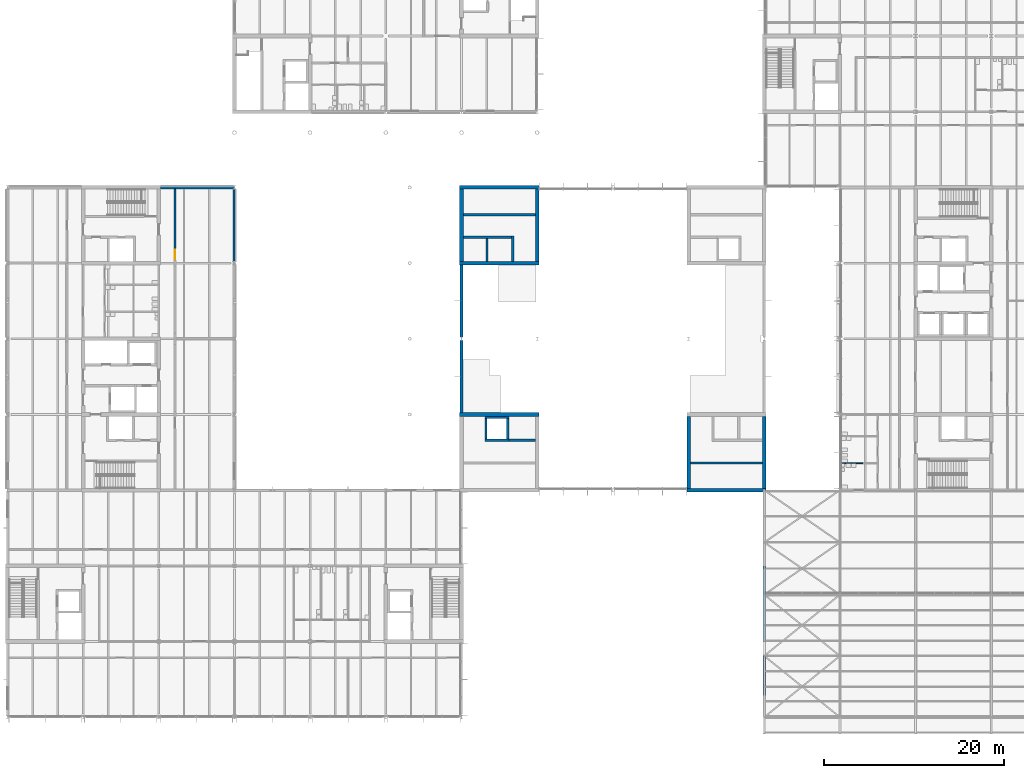
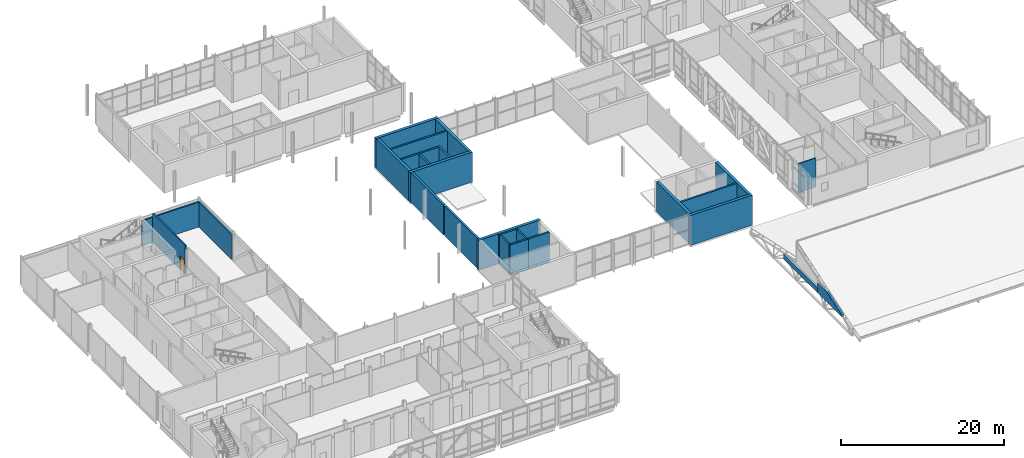
# One storey, part 52 of 89: 26 walls, 1 door, 1 opening.
"""IFC4 building model written with IfcOpenShell, lengths in metres."""

from ifc_helpers import new_model, si_unit, direction, frame, frame_2d, origin, place, context, subcontext, project, spatial, polyline, rectangle, outline, extrude, material, layer, layer_set, type_object, element, fill, save


model = new_model("IFC4")

# Units and contexts
model_context = context("Model", 3, precision=1e-05, world=origin(), true_north=direction((0.0, 1.0)))
body_context = subcontext(model_context, "Body", "Model", "MODEL_VIEW")
ifc_project = project(units=[si_unit("LENGTHUNIT", "METRE"), si_unit("AREAUNIT", "SQUARE_METRE"), si_unit("VOLUMEUNIT", "CUBIC_METRE"), si_unit("PLANEANGLEUNIT", "RADIAN"), si_unit("MASSUNIT", "GRAM", prefix="KILO")], contexts=[model_context])

# Site, building, storey
site_placement = place(None, origin())
site = spatial("IfcSite", under=ifc_project, at=site_placement, CompositionType="ELEMENT")
building_placement = place(site_placement, origin())
building = spatial("IfcBuilding", under=site, at=building_placement, Name="Hlaing Beacon Police Headquarters", CompositionType="ELEMENT")
storey_placement = place(building_placement, frame((0.0, 0.0, 9.89990234375)))
storey = spatial("IfcBuildingStorey", under=building, at=storey_placement, Name="L02", CompositionType="ELEMENT", Elevation=9.89990234375)

# Walls
ifc_material_1 = material(Name="Concrete C60/75", Category="concrete")
ifc_layer_1 = layer(ifc_material_1, 0.39990234375)
ifc_layer_set_1 = layer_set([ifc_layer_1], Name="Concrete C60/75")
wall_type_1 = type_object("IfcWallType", Name="Core shear wall 400", PredefinedType="SHEAR", material=ifc_layer_set_1)
for number, where, z_axis, x_axis, name in (
    (1, (58.60009765625, 42.0, 0.0), (0.0, 0.0, 1.0), (1.0, 0.0, 0.0), "Core shear wall"),
    (2, (58.60009765625, 58.800048828125, 0.0), (0.0, 0.0, 1.0), (1.0, 0.0, 0.0), "Core shear wall"),
    (3, (58.60009765625, 67.199951171875, 0.0), (0.0, 0.0, 1.0), (1.0, 0.0, 0.0), "Core shear wall"),
):
    element("IfcWall", number, at=place(storey_placement, frame(where, z_axis=z_axis, x_axis=x_axis)), inside=storey, type_object=wall_type_1, Name=name, PredefinedType="SHEAR", context=body_context, shape_type="SweptSolid", body=[
        extrude(rectangle(XDim=8.7998046875, YDim=0.39990234375, at=frame_2d((4.39990234375, 0.0))), origin(), (0.0, 0.0, 1.0), 4.5),
    ])
for number, where, z_axis, x_axis, name in (
    (4, (58.800048828125, 59.0, 0.0), (0.0, 0.0, 1.0), (0.0, 1.0, 0.0), "Core shear wall"),
    (5, (67.199951171875, 59.0, 0.0), (0.0, 0.0, 1.0), (0.0, 1.0, 0.0), "Core shear wall"),
):
    element("IfcWall", number, at=place(storey_placement, frame(where, z_axis=z_axis, x_axis=x_axis)), inside=storey, type_object=wall_type_1, Name=name, PredefinedType="SHEAR", context=body_context, shape_type="SweptSolid", body=[
        extrude(rectangle(XDim=8.0, YDim=0.39990234375, at=frame_2d((4.0, 0.0))), origin(), (0.0, 0.0, 1.0), 4.5),
    ])
wall_1_placement = place(storey_placement, frame((83.800048828125, 33.60009765625, 0.0), z_axis=(0.0, 0.0, 1.0), x_axis=(1.0, 0.0, 0.0)))
element("IfcWall", 6, at=wall_1_placement, inside=storey, type_object=wall_type_1, Name="Core shear wall", PredefinedType="SHEAR", context=body_context, shape_type="SweptSolid", body=[
    extrude(rectangle(XDim=8.800048828125, YDim=0.39990234375, at=frame_2d((4.39990234375, 0.0))), origin(), (0.0, 0.0, 1.0), 4.5),
])
for number, where, z_axis, x_axis, name in (
    (7, (84.0, 33.800048828125, 0.0), (0.0, 0.0, 1.0), (0.0, 1.0, 0.0), "Core shear wall"),
    (8, (92.39990234375, 33.800048828125, 0.0), (0.0, 0.0, 1.0), (0.0, 1.0, 0.0), "Core shear wall"),
):
    element("IfcWall", number, at=place(storey_placement, frame(where, z_axis=z_axis, x_axis=x_axis)), inside=storey, type_object=wall_type_1, Name=name, PredefinedType="SHEAR", context=body_context, shape_type="SweptSolid", body=[
        extrude(rectangle(XDim=8.0, YDim=0.39990234375, at=frame_2d((4.0, 0.0))), origin(), (0.0, 0.0, 1.0), 4.5),
    ])

# Wall, opening, door
ifc_material_2 = material(Name="Concrete blockwork 7.5 N/mm2", Category="masonry")
ifc_layer_2 = layer(ifc_material_2, 0.199951171875)
ifc_layer_set_2 = layer_set([ifc_layer_2], Name="Concrete blockwork 7.5 N/mm2")
wall_type_2 = type_object("IfcWallType", Name="Laboratory wall EI 60 200", PredefinedType="PARTITIONING", material=ifc_layer_set_2)
wall_2_placement = place(storey_placement, frame((27.0, 59.10498046875, 0.0), z_axis=(0.0, 0.0, 1.0), x_axis=(0.0, 1.0, 0.0)))
wall_2 = element("IfcWall", 9, at=wall_2_placement, inside=storey, type_object=wall_type_2, Name="Laboratory wall EI 60 200", PredefinedType="PARTITIONING", context=body_context, shape_type="SweptSolid", body=[
    extrude(rectangle(XDim=7.945068359375, YDim=0.199951171875, at=frame_2d((3.97265625, 0.0))), origin(), (0.0, 0.0, 1.0), 4.3701171875),
])
opening_placement = place(wall_2_placement, frame((0.094970703125, 0.0, 0.0)))
opening = element("IfcOpeningElement", 10, at=opening_placement, cuts=wall_2, Name="Opening L02-031", PredefinedType="OPENING", context=body_context, shape_type="SweptSolid", body=[
    extrude(rectangle(XDim=1.10009765625, YDim=2.10009765625, at=frame_2d((0.550048828125, 1.050048828125))), frame((0.0, 0.10986328125, 0.0), z_axis=(0.0, -1.0, 0.0), x_axis=(1.0, 0.0, 0.0)), (0.0, 0.0, 1.0), 0.219970703125),
])
ifc_material_3 = material(Name="Hardwood door leaf", Category="wood")
ifc_layer_3 = layer(ifc_material_3, 0.050048828125)
ifc_layer_set_3 = layer_set([ifc_layer_3], Name="Hardwood door leaf")
door_type = type_object("IfcDoorType", Name="Fire door FD30 1100x2100", OperationType="SINGLE_SWING_LEFT", PredefinedType="DOOR", material=ifc_layer_set_3)
door_placement = place(opening_placement, frame((1.10009765625, 0.0, 0.0), z_axis=(0.0, 0.0, 1.0), x_axis=(-1.0, 0.0, 0.0)))
door = element("IfcDoor", 11, at=door_placement, inside=storey, type_object=door_type, Name="Door Fire and Explosives Laboratory", OperationType="SINGLE_SWING_RIGHT", OverallHeight=2.10009765625, OverallWidth=1.10009765625, PredefinedType="DOOR", context=body_context, shape_type="SweptSolid", body=[
    extrude(rectangle(XDim=1.10009765625, YDim=2.10009765625, at=frame_2d((0.550048828125, 1.050048828125))), frame((0.0, 0.025146484375, 0.0), z_axis=(0.0, -1.0, 0.0), x_axis=(1.0, 0.0, 0.0)), (0.0, 0.0, 1.0), 0.050048828125),
])
fill(opening, door)

# Walls
ifc_material_4 = material(Name="Gypsum board partition")
ifc_layer_4 = layer(ifc_material_4, 0.125)
ifc_layer_set_4 = layer_set([ifc_layer_4], Name="Gypsum board partition")
wall_type_3 = type_object("IfcWallType", Name="Partition 125", PredefinedType="PARTITIONING", material=ifc_layer_set_4)
wall_3_placement = place(storey_placement, frame((100.949951171875, 36.60009765625, 0.0), z_axis=(0.0, 0.0, 1.0), x_axis=(1.0, 0.0, 0.0)))
element("IfcWall", 12, at=wall_3_placement, inside=storey, type_object=wall_type_3, Name="Partition 125", PredefinedType="PARTITIONING", context=body_context, shape_type="SweptSolid", body=[
    extrude(rectangle(XDim=2.45703125, YDim=0.125, at=frame_2d((1.228515625, 0.0))), origin(), (0.0, 0.0, 1.0), 4.3701171875),
])
ifc_material_5 = material(Name="Concrete C40/50 precast ribbed cladding", Category="concrete")
ifc_layer_5 = layer(ifc_material_5, 0.300048828125)
ifc_layer_set_5 = layer_set([ifc_layer_5], Name="Concrete C40/50 precast ribbed cladding")
wall_type_4 = type_object("IfcWallType", Name="Precast ribbed wall 300", PredefinedType="SOLIDWALL", material=ifc_layer_set_5)
wall_4_placement = place(storey_placement, frame((92.39990234375, 25.199951171875, 0.0), z_axis=(0.0, 0.0, 1.0), x_axis=(0.0, -1.0, 0.0)))
element("IfcWall", 13, at=wall_4_placement, inside=storey, type_object=wall_type_4, Name="External wall L02 W007", PredefinedType="SOLIDWALL", context=body_context, shape_type="SweptSolid", body=[
    extrude(rectangle(XDim=8.39990234375, YDim=0.300048828125, at=frame_2d((4.199951171875, 0.0))), origin(), (0.0, 0.0, 1.0), 0.759033203125),
])
wall_5_placement = place(storey_placement, frame((92.39990234375, 16.800048828125, 0.0), z_axis=(0.0, 0.0, 1.0), x_axis=(0.0, -1.0, 0.0)))
element("IfcWall", 14, at=wall_5_placement, inside=storey, type_object=wall_type_4, Name="External wall L02 W008", PredefinedType="SOLIDWALL", context=body_context, shape_type="SweptSolid", body=[
    extrude(outline(polyline([(0.0, 0.0), (5.98193359375, 0.0), (5.98193359375, 0.300048828125), (2.30322265625, 1.51708984375), (0.0, 1.51708984375), (0.0, 0.0)])), frame((0.0, 0.14990234375, 0.0), z_axis=(0.0, -1.0, 0.0), x_axis=(1.0, 0.0, 0.0)), (0.0, 0.0, 1.0), 0.300048828125),
])
wall_6_placement = place(storey_placement, frame((58.800048828125, 58.60009765625, 0.0), z_axis=(0.0, 0.0, 1.0), x_axis=(0.0, -1.0, 0.0)))
element("IfcWall", 15, at=wall_6_placement, inside=storey, type_object=wall_type_4, Name="External wall L02 W009", PredefinedType="SOLIDWALL", context=body_context, shape_type="SweptSolid", body=[
    extrude(rectangle(XDim=8.043701171875, YDim=0.300048828125, at=frame_2d((4.02197265625, 0.0))), origin(), (0.0, 0.0, 1.0), 4.5),
])
wall_7_placement = place(storey_placement, frame((58.800048828125, 50.243408203125, 0.0), z_axis=(0.0, 0.0, 1.0), x_axis=(0.0, -1.0, 0.0)))
element("IfcWall", 16, at=wall_7_placement, inside=storey, type_object=wall_type_4, Name="External wall L02 W010", PredefinedType="SOLIDWALL", context=body_context, shape_type="SweptSolid", body=[
    extrude(rectangle(XDim=8.04345703125, YDim=0.300048828125, at=frame_2d((4.021728515625, 0.0))), origin(), (0.0, 0.0, 1.0), 4.5),
])
ifc_material_6 = material(Name="Fibre cement ribbed cladding on insulated frame")
ifc_layer_6 = layer(ifc_material_6, 0.22509765625)
ifc_layer_set_6 = layer_set([ifc_layer_6], Name="Fibre cement ribbed cladding on insulated frame")
wall_type_5 = type_object("IfcWallType", Name="Ribbed fibre-cement clad wall 225", PredefinedType="SOLIDWALL", material=ifc_layer_set_6)
wall_8_placement = place(storey_placement, frame((33.5625, 58.970703125, 0.0), z_axis=(0.0, 0.0, 1.0), x_axis=(0.0, 1.0, 0.0)))
element("IfcWall", 17, at=wall_8_placement, inside=storey, type_object=wall_type_5, Name="External wall L02 E019", PredefinedType="SOLIDWALL", context=body_context, shape_type="SweptSolid", body=[
    extrude(rectangle(XDim=8.058837890625, YDim=0.22509765625, at=frame_2d((4.029296875, 0.0))), origin(), (0.0, 0.0, 1.0), 3.74609375),
])
wall_9_placement = place(storey_placement, frame((33.595703125, 67.16259765625, 0.0), z_axis=(0.0, 0.0, 1.0), x_axis=(-1.0, 0.0, 0.0)))
element("IfcWall", 18, at=wall_9_placement, inside=storey, type_object=wall_type_5, Name="External wall L02 N020", PredefinedType="SOLIDWALL", context=body_context, shape_type="SweptSolid", body=[
    extrude(rectangle(XDim=8.19580078125, YDim=0.22509765625, at=frame_2d((4.097900390625, 0.0))), origin(), (0.0, 0.0, 1.0), 3.74609375),
])
ifc_material_7 = material(Name="Concrete C40/50", Category="concrete")
ifc_layer_7 = layer(ifc_material_7, 0.25)
ifc_layer_set_7 = layer_set([ifc_layer_7], Name="Concrete C40/50")
wall_type_6 = type_object("IfcWallType", Name="Shaft wall 250", PredefinedType="SOLIDWALL", material=ifc_layer_set_7)
wall_10_placement = place(storey_placement, frame((64.050048828125, 39.125, 0.0), z_axis=(0.0, 0.0, 1.0), x_axis=(1.0, 0.0, 0.0)))
element("IfcWall", 19, at=wall_10_placement, inside=storey, type_object=wall_type_6, Name="Lobby wall", PredefinedType="SOLIDWALL", context=body_context, shape_type="SweptSolid", body=[
    extrude(rectangle(XDim=2.949951171875, YDim=0.25, at=frame_2d((1.47509765625, 0.0))), origin(), (0.0, 0.0, 1.0), 4.5),
])
wall_11_placement = place(storey_placement, frame((67.0, 64.175048828125, 0.0), z_axis=(0.0, 0.0, 1.0), x_axis=(-1.0, 0.0, 0.0)))
element("IfcWall", 20, at=wall_11_placement, inside=storey, type_object=wall_type_6, Name="Stair enclosure wall", PredefinedType="SOLIDWALL", context=body_context, shape_type="SweptSolid", body=[
    extrude(rectangle(XDim=8.0, YDim=0.25, at=frame_2d((4.0, 0.0))), origin(), (0.0, 0.0, 1.0), 4.5),
])
wall_12_placement = place(storey_placement, frame((64.47509765625, 61.800048828125, 0.0), z_axis=(0.0, 0.0, 1.0), x_axis=(0.0, -1.0, 0.0)))
element("IfcWall", 21, at=wall_12_placement, inside=storey, type_object=wall_type_6, Name="Lobby wall", PredefinedType="SOLIDWALL", context=body_context, shape_type="SweptSolid", body=[
    extrude(rectangle(XDim=2.800048828125, YDim=0.25, at=frame_2d((1.39990234375, 0.0))), origin(), (0.0, 0.0, 1.0), 4.5),
])
wall_13_placement = place(storey_placement, frame((64.35009765625, 61.675048828125, 0.0), z_axis=(0.0, 0.0, 1.0), x_axis=(-1.0, 0.0, 0.0)))
element("IfcWall", 22, at=wall_13_placement, inside=storey, type_object=wall_type_6, Name="Lobby wall", PredefinedType="SOLIDWALL", context=body_context, shape_type="SweptSolid", body=[
    extrude(rectangle(XDim=5.35009765625, YDim=0.25, at=frame_2d((2.675048828125, 0.0))), origin(), (0.0, 0.0, 1.0), 4.5),
])
wall_14_placement = place(storey_placement, frame((61.625, 61.550048828125, 0.0), z_axis=(0.0, 0.0, 1.0), x_axis=(0.0, -1.0, 0.0)))
element("IfcWall", 23, at=wall_14_placement, inside=storey, type_object=wall_type_6, Name="Riser wall", PredefinedType="SOLIDWALL", context=body_context, shape_type="SweptSolid", body=[
    extrude(rectangle(XDim=2.550048828125, YDim=0.25, at=frame_2d((1.27490234375, 0.0))), origin(), (0.0, 0.0, 1.0), 4.5),
])
wall_15_placement = place(storey_placement, frame((84.199951171875, 36.625, 0.0), z_axis=(0.0, 0.0, 1.0), x_axis=(1.0, 0.0, 0.0)))
element("IfcWall", 24, at=wall_15_placement, inside=storey, type_object=wall_type_6, Name="Stair enclosure wall", PredefinedType="SOLIDWALL", context=body_context, shape_type="SweptSolid", body=[
    extrude(rectangle(XDim=8.0, YDim=0.25, at=frame_2d((4.0, 0.0))), origin(), (0.0, 0.0, 1.0), 4.5),
])
wall_16_placement = place(storey_placement, frame((63.925048828125, 39.25, 0.0), z_axis=(0.0, 0.0, 1.0), x_axis=(0.0, 1.0, 0.0)))
element("IfcWall", 25, at=wall_16_placement, inside=storey, type_object=wall_type_6, Name="Lift shaft wall PL1", PredefinedType="SOLIDWALL", context=body_context, shape_type="SweptSolid", body=[
    extrude(rectangle(XDim=2.300048828125, YDim=0.25, at=frame_2d((1.14990234375, 0.0))), origin(), (0.0, 0.0, 1.0), 4.5),
])
for number, where, z_axis, x_axis, name in (
    (26, (61.39990234375, 41.675048828125, 0.0), (0.0, 0.0, 1.0), (1.0, 0.0, 0.0), "Lift shaft wall PL1"),
    (27, (61.39990234375, 39.125, 0.0), (0.0, 0.0, 1.0), (1.0, 0.0, 0.0), "Lift shaft wall PL1"),
):
    element("IfcWall", number, at=place(storey_placement, frame(where, z_axis=z_axis, x_axis=x_axis)), inside=storey, type_object=wall_type_6, Name=name, PredefinedType="SOLIDWALL", context=body_context, shape_type="SweptSolid", body=[
        extrude(rectangle(XDim=2.650146484375, YDim=0.25, at=frame_2d((1.3251953125, 0.0))), origin(), (0.0, 0.0, 1.0), 4.5),
    ])
wall_17_placement = place(storey_placement, frame((61.52490234375, 39.25, 0.0), z_axis=(0.0, 0.0, 1.0), x_axis=(0.0, 1.0, 0.0)))
element("IfcWall", 28, at=wall_17_placement, inside=storey, type_object=wall_type_6, Name="Lift shaft wall PL1", PredefinedType="SOLIDWALL", context=body_context, shape_type="SweptSolid", body=[
    extrude(rectangle(XDim=2.300048828125, YDim=0.25, at=frame_2d((1.14990234375, 0.0))), origin(), (0.0, 0.0, 1.0), 4.5),
])

save(model, "model.ifc")
